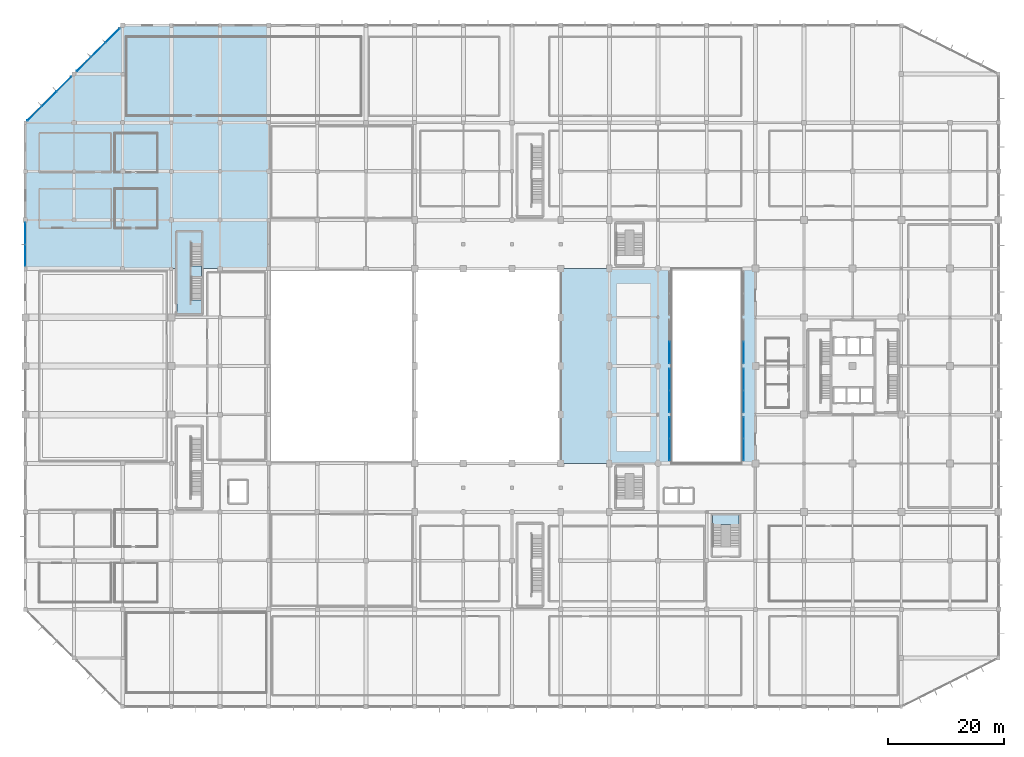
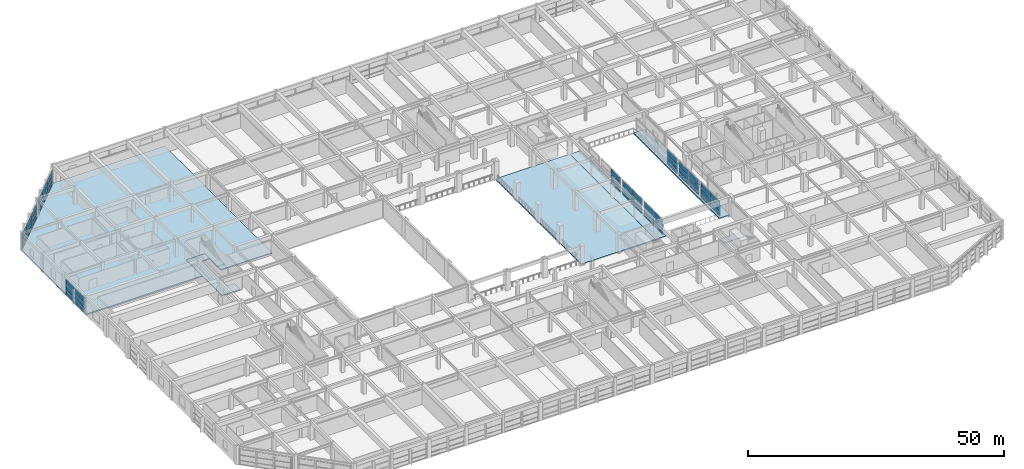
# One storey, part 45 of 65: 54 plates, 7 slabs, 11 elements without a shape of their own.
"""IFC4 building model written with IfcOpenShell, lengths in metres."""

import ifcopenshell
import ifcopenshell.guid

model = None  # the IFC model being written
_history = None  # IfcOwnerHistory: only IFC2X3 demands one
_inside = {}  # id of a spatial element -> (the spatial element, [elements in it])
_under = {}  # id of a project, library or spatial element -> (it, [spatial elements below it])
_declared = {}  # id of a project -> (the project, [libraries it declares])
_typed = {}  # id of a type object -> (the type object, [elements of that type])
_made_of = {}  # id of a material, layer set ... -> (it, [elements and type objects made of it])


def new_model(schema):
    """Start an empty IFC model of exactly this schema.

    Asked for "IFC4X3", IfcOpenShell would pick the latest addendum, in which some entities
    have other attributes; the version numbers below select the first issue.
    IFC2X3 requires an IfcOwnerHistory on every rooted entity: one is made here for all.
    """
    global model, _history
    if schema == "IFC4X3":
        model = ifcopenshell.file(schema_version=(4, 3, 0, 0))
    else:
        model = ifcopenshell.file(schema=schema)
    _inside.clear()
    _under.clear()
    _declared.clear()
    _typed.clear()
    _made_of.clear()
    _history = None
    if model.schema == "IFC2X3":
        org = make("IfcOrganization", Name="unknown")
        user = make(
            "IfcPersonAndOrganization",
            ThePerson=make("IfcPerson", FamilyName="unknown"),
            TheOrganization=org,
        )
        app = make(
            "IfcApplication",
            ApplicationDeveloper=org,
            Version="unknown",
            ApplicationFullName="unknown",
            ApplicationIdentifier="unknown",
        )
        _history = make(
            "IfcOwnerHistory",
            OwningUser=user,
            OwningApplication=app,
            ChangeAction="ADDED",
            CreationDate=0,
        )
    return model


def make(cls, **values):
    """One entity of the class cls with the attributes given. An attribute that is None is left unset."""
    return model.create_entity(
        cls, **{name: value for name, value in values.items() if value is not None}
    )


def rooted(cls, **values):
    """An entity with a GlobalId (a new one), such as an element, a storey or a relation."""
    return make(cls, GlobalId=ifcopenshell.guid.new(), OwnerHistory=_history, **values)


def si_unit(unit_type, name, prefix=None):
    """IfcSIUnit, for example si_unit("LENGTHUNIT", "METRE", prefix="MILLI")."""
    return make("IfcSIUnit", UnitType=unit_type, Prefix=prefix, Name=name)


def assignment(units):
    """IfcUnitAssignment: the units of a project."""
    return None if units is None else make("IfcUnitAssignment", Units=units)


def point(xyz):
    """IfcCartesianPoint."""
    return None if xyz is None else make("IfcCartesianPoint", Coordinates=xyz)


def direction(xyz):
    """IfcDirection."""
    return None if xyz is None else make("IfcDirection", DirectionRatios=xyz)


def frame(location, z_axis=None, x_axis=None):
    """IfcAxis2Placement3D, a coordinate frame: its origin and axes. An axis left out is left unset."""
    return make(
        "IfcAxis2Placement3D",
        Location=point(location),
        Axis=direction(z_axis),
        RefDirection=direction(x_axis),
    )


def frame_2d(location, x_axis=None):
    """IfcAxis2Placement2D, a coordinate frame in the plane: its origin and x axis."""
    return make(
        "IfcAxis2Placement2D", Location=point(location), RefDirection=direction(x_axis)
    )


def origin():
    """The frame at (0, 0, 0) with its axes left unset."""
    return frame((0.0, 0.0, 0.0))


def origin_2d():
    """The frame at (0, 0) in the plane with its x axis left unset."""
    return frame_2d((0.0, 0.0))


def place(relative_to, where):
    """IfcLocalPlacement: puts the frame where relative to a parent placement (None: the world)."""
    return make(
        "IfcLocalPlacement", PlacementRelTo=relative_to, RelativePlacement=where
    )


def context(
    kind, dimensions, precision=None, world=None, true_north=None, identifier=None
):
    """IfcGeometricRepresentationContext, for example the 3D "Model" context."""
    return make(
        "IfcGeometricRepresentationContext",
        ContextIdentifier=identifier,
        ContextType=kind,
        CoordinateSpaceDimension=dimensions,
        Precision=precision,
        WorldCoordinateSystem=world,
        TrueNorth=true_north,
    )


def subcontext(parent, identifier, kind, view, scale=None):
    """IfcGeometricRepresentationSubContext, for example "Body" below "Model"."""
    return make(
        "IfcGeometricRepresentationSubContext",
        ContextIdentifier=identifier,
        ContextType=kind,
        ParentContext=parent,
        TargetScale=scale,
        TargetView=view,
    )


def project(units=None, contexts=None):
    """IfcProject with its units and contexts."""
    return rooted(
        "IfcProject",
        Name="project",
        RepresentationContexts=contexts,
        UnitsInContext=assignment(units),
    )


def spatial(cls, under=None, at=None, **own):
    """A site, building, storey or space (cls), placed at a placement, below another one or the project."""
    s = rooted(cls, ObjectPlacement=at, **own)
    if under is not None:
        _under.setdefault(under.id(), (under, []))[1].append(s)
    return s


def polyline(points):
    """IfcPolyline through the points."""
    return make("IfcPolyline", Points=[point(p) for p in points])


def profile(cls, at=None, kind="AREA", **sizes):
    """A parametric profile (cls). Its sizes go by their IFC names, for example OverallWidth=200.0."""
    return make(cls, ProfileType=kind, Position=at, **sizes)


def rectangle(**sizes):
    """IfcRectangleProfileDef."""
    return profile("IfcRectangleProfileDef", **sizes)


def outline(outer, holes=None, kind="AREA"):
    """IfcArbitraryClosedProfileDef: a profile drawn as a closed curve; with holes, ...WithVoids."""
    if holes is None:
        return make("IfcArbitraryClosedProfileDef", ProfileType=kind, OuterCurve=outer)
    return make(
        "IfcArbitraryProfileDefWithVoids",
        ProfileType=kind,
        OuterCurve=outer,
        InnerCurves=holes,
    )


def extrude(swept, where, along, depth):
    """IfcExtrudedAreaSolid: the profile swept, set in the frame where, extruded along a direction by depth."""
    return make(
        "IfcExtrudedAreaSolid",
        SweptArea=swept,
        Position=where,
        ExtrudedDirection=direction(along),
        Depth=depth,
    )


def shape(context_of_items, identifier, shape_type, items):
    """IfcShapeRepresentation: the items that make up one representation, for example the "Body"."""
    return make(
        "IfcShapeRepresentation",
        ContextOfItems=context_of_items,
        RepresentationIdentifier=identifier,
        RepresentationType=shape_type,
        Items=items,
    )


def material(Name=None, Category=None):
    """IfcMaterial."""
    return make("IfcMaterial", Name=Name, Category=Category)


def layer(
    of_material, thickness, ventilated=None, Name=None, Category=None, Priority=None
):
    """IfcMaterialLayer: one layer of a wall or slab, of a material (None: an air gap)."""
    return make(
        "IfcMaterialLayer",
        Material=of_material,
        LayerThickness=thickness,
        IsVentilated=ventilated,
        Name=Name,
        Category=Category,
        Priority=Priority,
    )


def layer_set(layers, Name=None):
    """IfcMaterialLayerSet."""
    return make("IfcMaterialLayerSet", MaterialLayers=layers, LayerSetName=Name)


def made_of(thing, what):
    """Note that an element or type object is made of a material, layer set ...; save() writes the relation."""
    if what is not None:
        _made_of.setdefault(what.id(), (what, []))[1].append(thing)
    return thing


def type_object(cls, material=None, **own):
    """A type object (cls), such as IfcWallType, which elements share."""
    return made_of(rooted(cls, **own), material)


def element(
    cls,
    number,
    at=None,
    inside=None,
    cuts=None,
    type_object=None,
    material=None,
    context=None,
    identifier="Body",
    shape_type=None,
    held_by="IfcProductDefinitionShape",
    body=None,
    shapes=None,
    **own,
):
    """One element of the class cls, such as IfcWall. Its Tag is "e" and its number.

    at: its placement. inside: the storey or other place that contains it. cuts: it is an
    opening in that element (IfcRelVoidsElement). A single representation is given by context,
    identifier, shape_type and body (its items); several are given by shapes. held_by: the class
    of the entity that holds the representations. save() writes the other relations.
    """
    e = rooted(cls, Tag="e%d" % number, ObjectPlacement=at, **own)
    if body is not None:
        shapes = [shape(context, identifier, shape_type, body)]
    if shapes is not None:
        e.Representation = make(held_by, Representations=shapes)
    if inside is not None:
        _inside.setdefault(inside.id(), (inside, []))[1].append(e)
    if cuts is not None:
        rooted(
            "IfcRelVoidsElement", RelatingBuildingElement=cuts, RelatedOpeningElement=e
        )
    if type_object is not None:
        _typed.setdefault(type_object.id(), (type_object, []))[1].append(e)
    return made_of(e, material)


def aggregate(whole, parts):
    """IfcRelAggregates: a whole, such as a stair, and the parts it consists of."""
    return rooted("IfcRelAggregates", RelatingObject=whole, RelatedObjects=parts)


def save(model, path):
    """Write the relations noted so far, then the file.

    IfcRelAggregates (storeys below a building ...), IfcRelContainedInSpatialStructure (elements
    in a storey), IfcRelDefinesByType, IfcRelAssociatesMaterial and IfcRelDeclares: one each for
    every whole, place, type object, material and project.
    """
    for whole, parts in _under.values():
        aggregate(whole, parts)
    for where, things in _inside.values():
        rooted(
            "IfcRelContainedInSpatialStructure",
            RelatedElements=things,
            RelatingStructure=where,
        )
    for kind, things in _typed.values():
        rooted("IfcRelDefinesByType", RelatedObjects=things, RelatingType=kind)
    for what, things in _made_of.values():
        rooted("IfcRelAssociatesMaterial", RelatedObjects=things, RelatingMaterial=what)
    for by, libraries in _declared.values():
        rooted("IfcRelDeclares", RelatingContext=by, RelatedDefinitions=libraries)
    model.write(path)


model = new_model("IFC4")

# Units and contexts
model_context = context("Model", 3, precision=1e-05, world=origin(), true_north=direction((0.0, 1.0)))
body_context = subcontext(model_context, "Body", "Model", "MODEL_VIEW")
ifc_project = project(units=[si_unit("LENGTHUNIT", "METRE"), si_unit("AREAUNIT", "SQUARE_METRE"), si_unit("VOLUMEUNIT", "CUBIC_METRE"), si_unit("PLANEANGLEUNIT", "RADIAN"), si_unit("MASSUNIT", "GRAM", prefix="KILO")], contexts=[model_context])

# Site, building, storey
site_placement = place(None, origin())
site = spatial("IfcSite", under=ifc_project, at=site_placement, CompositionType="ELEMENT")
building_placement = place(site_placement, origin())
building = spatial("IfcBuilding", under=site, at=building_placement, Name="Xuanlan Plaza Opera House", CompositionType="ELEMENT")
storey_placement = place(building_placement, frame((0.0, 0.0, 5.39990234375)))
storey = spatial("IfcBuildingStorey", under=building, at=storey_placement, Name="L01", CompositionType="ELEMENT", Elevation=5.39990234375)

# Curtain wall, plates
ifc_material_1 = material(Name="Anodised Aluminium 6063-T6 and Low-E Glass", Category="aluminium")
curtain_wall_type_1 = type_object("IfcCurtainWallType", Name="ENV-CW-CW-02", PredefinedType="USERDEFINED", material=ifc_material_1)
curtain_wall_1_placement = place(storey_placement, origin())
curtain_wall_1 = element("IfcCurtainWall", 1, at=curtain_wall_1_placement, inside=storey, type_object=curtain_wall_type_1, Name="Unitised Curtain Wall L01-051", ObjectType="UNITISED CURTAIN WALL", PredefinedType="USERDEFINED")
ifc_material_2 = material(Name="Laminated Acoustic Double Glazing", Category="glass")
ifc_layer_1 = layer(ifc_material_2, 0.028076171875)
ifc_layer_set_1 = layer_set([ifc_layer_1], Name="Laminated Acoustic Double Glazing")
plate_type_1 = type_object("IfcPlateType", Name="ENV-CWP-01", PredefinedType="CURTAIN_PANEL", material=ifc_layer_set_1)
plate_1_placement = place(storey_placement, frame((0.0, 81.663818359375, 0.090087890625), z_axis=(0.0, 0.0, 1.0), x_axis=(0.0, -1.0, 0.0)))
plate_1 = element("IfcPlate", 2, at=plate_1_placement, type_object=plate_type_1, Name="CW-02 panel 1.1", PredefinedType="CURTAIN_PANEL", context=body_context, shape_type="SweptSolid", body=[
    extrude(rectangle(XDim=3.672607421875, YDim=0.028076171875, at=origin_2d()), origin(), (0.0, 0.0, 1.0), 0.81494140625),
])
plate_2_placement = place(storey_placement, frame((0.0, 81.663818359375, 0.9951171875), z_axis=(0.0, 0.0, 1.0), x_axis=(0.0, -1.0, 0.0)))
plate_2 = element("IfcPlate", 3, at=plate_2_placement, type_object=plate_type_1, Name="CW-02 panel 1.2", PredefinedType="CURTAIN_PANEL", context=body_context, shape_type="SweptSolid", body=[
    extrude(rectangle(XDim=3.672607421875, YDim=0.028076171875, at=origin_2d()), origin(), (0.0, 0.0, 1.0), 1.2099609375),
])
plate_3_placement = place(storey_placement, frame((0.0, 81.663818359375, 2.295166015625), z_axis=(0.0, 0.0, 1.0), x_axis=(0.0, -1.0, 0.0)))
plate_3 = element("IfcPlate", 4, at=plate_3_placement, type_object=plate_type_1, Name="CW-02 panel 1.3", PredefinedType="CURTAIN_PANEL", context=body_context, shape_type="SweptSolid", body=[
    extrude(rectangle(XDim=3.672607421875, YDim=0.028076171875, at=origin_2d()), origin(), (0.0, 0.0, 1.0), 1.294921875),
])
plate_4_placement = place(storey_placement, frame((0.0, 77.9111328125, 0.090087890625), z_axis=(0.0, 0.0, 1.0), x_axis=(0.0, -1.0, 0.0)))
plate_4 = element("IfcPlate", 5, at=plate_4_placement, type_object=plate_type_1, Name="CW-02 panel 2.1", PredefinedType="CURTAIN_PANEL", context=body_context, shape_type="SweptSolid", body=[
    extrude(rectangle(XDim=3.672607421875, YDim=0.028076171875, at=origin_2d()), origin(), (0.0, 0.0, 1.0), 0.81494140625),
])
plate_5_placement = place(storey_placement, frame((0.0, 77.9111328125, 0.9951171875), z_axis=(0.0, 0.0, 1.0), x_axis=(0.0, -1.0, 0.0)))
plate_5 = element("IfcPlate", 6, at=plate_5_placement, type_object=plate_type_1, Name="CW-02 panel 2.2", PredefinedType="CURTAIN_PANEL", context=body_context, shape_type="SweptSolid", body=[
    extrude(rectangle(XDim=3.672607421875, YDim=0.028076171875, at=origin_2d()), origin(), (0.0, 0.0, 1.0), 1.2099609375),
])
plate_6_placement = place(storey_placement, frame((0.0, 77.9111328125, 2.295166015625), z_axis=(0.0, 0.0, 1.0), x_axis=(0.0, -1.0, 0.0)))
plate_6 = element("IfcPlate", 7, at=plate_6_placement, type_object=plate_type_1, Name="CW-02 panel 2.3", PredefinedType="CURTAIN_PANEL", context=body_context, shape_type="SweptSolid", body=[
    extrude(rectangle(XDim=3.672607421875, YDim=0.028076171875, at=origin_2d()), origin(), (0.0, 0.0, 1.0), 1.294921875),
])
aggregate(curtain_wall_1, [plate_1, plate_2, plate_3, plate_4, plate_5, plate_6])

curtain_wall_type_2 = type_object("IfcCurtainWallType", Name="ENV-CW-CW-03", PredefinedType="USERDEFINED", material=ifc_material_1)
curtain_wall_2_placement = place(storey_placement, origin())
curtain_wall_2 = element("IfcCurtainWall", 8, at=curtain_wall_2_placement, inside=storey, type_object=curtain_wall_type_2, Name="Unitised Curtain Wall L01-048", ObjectType="UNITISED CURTAIN WALL", PredefinedType="USERDEFINED")
ifc_layer_2 = layer(ifc_material_2, 0.031982421875)
ifc_layer_set_2 = layer_set([ifc_layer_2], Name="Laminated Acoustic Double Glazing")
plate_type_2 = type_object("IfcPlateType", Name="ENV-CWP-02", PredefinedType="CURTAIN_PANEL", material=ifc_layer_set_2)
plate_7_placement = place(storey_placement, frame((6.66845703125, 107.46826171875, 0.080078125), z_axis=(0.0, 0.0, 1.0), x_axis=(-0.707106781187, -0.707106781187, 0.0)))
plate_7 = element("IfcPlate", 9, at=plate_7_placement, type_object=plate_type_2, Name="CW-03 panel 1.1", PredefinedType="CURTAIN_PANEL", context=body_context, shape_type="SweptSolid", body=[
    extrude(rectangle(XDim=3.497802734375, YDim=0.031982421875, at=origin_2d()), origin(), (0.0, 0.0, 1.0), 0.830078125),
])
plate_8_placement = place(storey_placement, frame((6.66845703125, 107.46826171875, 0.990234375), z_axis=(0.0, 0.0, 1.0), x_axis=(-0.707106781187, -0.707106781187, 0.0)))
plate_8 = element("IfcPlate", 10, at=plate_8_placement, type_object=plate_type_2, Name="CW-03 panel 1.2", PredefinedType="CURTAIN_PANEL", context=body_context, shape_type="SweptSolid", body=[
    extrude(rectangle(XDim=3.497802734375, YDim=0.031982421875, at=origin_2d()), origin(), (0.0, 0.0, 1.0), 1.219970703125),
])
plate_9_placement = place(storey_placement, frame((6.66845703125, 107.46826171875, 2.2900390625), z_axis=(0.0, 0.0, 1.0), x_axis=(-0.707106781187, -0.707106781187, 0.0)))
plate_9 = element("IfcPlate", 11, at=plate_9_placement, type_object=plate_type_2, Name="CW-03 panel 1.3", PredefinedType="CURTAIN_PANEL", context=body_context, shape_type="SweptSolid", body=[
    extrude(rectangle(XDim=3.497802734375, YDim=0.031982421875, at=origin_2d()), origin(), (0.0, 0.0, 1.0), 1.31005859375),
])
plate_10_placement = place(storey_placement, frame((4.137451171875, 104.9375, 0.080078125), z_axis=(0.0, 0.0, 1.0), x_axis=(-0.707106781187, -0.707106781187, 0.0)))
plate_10 = element("IfcPlate", 12, at=plate_10_placement, type_object=plate_type_2, Name="CW-03 panel 2.1", PredefinedType="CURTAIN_PANEL", context=body_context, shape_type="SweptSolid", body=[
    extrude(rectangle(XDim=3.530517578125, YDim=0.031982421875, at=origin_2d()), origin(), (0.0, 0.0, 1.0), 0.830078125),
])
plate_11_placement = place(storey_placement, frame((4.137451171875, 104.9375, 0.990234375), z_axis=(0.0, 0.0, 1.0), x_axis=(-0.707106781187, -0.707106781187, 0.0)))
plate_11 = element("IfcPlate", 13, at=plate_11_placement, type_object=plate_type_2, Name="CW-03 panel 2.2", PredefinedType="CURTAIN_PANEL", context=body_context, shape_type="SweptSolid", body=[
    extrude(rectangle(XDim=3.530517578125, YDim=0.031982421875, at=origin_2d()), origin(), (0.0, 0.0, 1.0), 1.219970703125),
])
plate_12_placement = place(storey_placement, frame((4.137451171875, 104.9375, 2.2900390625), z_axis=(0.0, 0.0, 1.0), x_axis=(-0.707106781187, -0.707106781187, 0.0)))
plate_12 = element("IfcPlate", 14, at=plate_12_placement, type_object=plate_type_2, Name="CW-03 panel 2.3", PredefinedType="CURTAIN_PANEL", context=body_context, shape_type="SweptSolid", body=[
    extrude(rectangle(XDim=3.530517578125, YDim=0.031982421875, at=origin_2d()), origin(), (0.0, 0.0, 1.0), 1.31005859375),
])
plate_13_placement = place(storey_placement, frame((1.606689453125, 102.40673828125, 0.080078125), z_axis=(0.0, 0.0, 1.0), x_axis=(-0.707106781187, -0.707106781187, 0.0)))
plate_13 = element("IfcPlate", 15, at=plate_13_placement, type_object=plate_type_2, Name="CW-03 panel 3.1", PredefinedType="CURTAIN_PANEL", context=body_context, shape_type="SweptSolid", body=[
    extrude(rectangle(XDim=3.497802734375, YDim=0.031982421875, at=origin_2d()), origin(), (0.0, 0.0, 1.0), 0.830078125),
])
plate_14_placement = place(storey_placement, frame((1.606689453125, 102.40673828125, 0.990234375), z_axis=(0.0, 0.0, 1.0), x_axis=(-0.707106781187, -0.707106781187, 0.0)))
plate_14 = element("IfcPlate", 16, at=plate_14_placement, type_object=plate_type_2, Name="CW-03 panel 3.2", PredefinedType="CURTAIN_PANEL", context=body_context, shape_type="SweptSolid", body=[
    extrude(rectangle(XDim=3.497802734375, YDim=0.031982421875, at=origin_2d()), origin(), (0.0, 0.0, 1.0), 1.219970703125),
])
plate_15_placement = place(storey_placement, frame((1.606689453125, 102.40673828125, 2.2900390625), z_axis=(0.0, 0.0, 1.0), x_axis=(-0.707106781187, -0.707106781187, 0.0)))
plate_15 = element("IfcPlate", 17, at=plate_15_placement, type_object=plate_type_2, Name="CW-03 panel 3.3", PredefinedType="CURTAIN_PANEL", context=body_context, shape_type="SweptSolid", body=[
    extrude(rectangle(XDim=3.497802734375, YDim=0.031982421875, at=origin_2d()), origin(), (0.0, 0.0, 1.0), 1.31005859375),
])
aggregate(curtain_wall_2, [plate_7, plate_8, plate_9, plate_10, plate_11, plate_12, plate_13, plate_14, plate_15])

curtain_wall_3_placement = place(storey_placement, origin())
curtain_wall_3 = element("IfcCurtainWall", 18, at=curtain_wall_3_placement, inside=storey, type_object=curtain_wall_type_1, Name="Unitised Curtain Wall L01-047", ObjectType="UNITISED CURTAIN WALL", PredefinedType="USERDEFINED")
ifc_layer_3 = layer(ifc_material_2, 0.0400390625)
ifc_layer_set_3 = layer_set([ifc_layer_3], Name="Laminated Acoustic Double Glazing")
plate_type_3 = type_object("IfcPlateType", Name="ENV-CWP-04", PredefinedType="CURTAIN_PANEL", material=ifc_layer_set_3)
plate_16_placement = place(storey_placement, frame((15.04296875, 115.843017578125, 0.0703125), z_axis=(0.0, 0.0, 1.0), x_axis=(-0.707106781187, -0.707106781187, 0.0)))
plate_16 = element("IfcPlate", 19, at=plate_16_placement, type_object=plate_type_3, Name="CW-02 panel 1.1", PredefinedType="CURTAIN_PANEL", context=body_context, shape_type="SweptSolid", body=[
    extrude(rectangle(XDim=3.3779296875, YDim=0.0400390625, at=origin_2d()), origin(), (0.0, 0.0, 1.0), 0.844970703125),
])
plate_17_placement = place(storey_placement, frame((15.04296875, 115.843017578125, 0.985107421875), z_axis=(0.0, 0.0, 1.0), x_axis=(-0.707106781187, -0.707106781187, 0.0)))
plate_17 = element("IfcPlate", 20, at=plate_17_placement, type_object=plate_type_3, Name="CW-02 panel 1.2", PredefinedType="CURTAIN_PANEL", context=body_context, shape_type="SweptSolid", body=[
    extrude(rectangle(XDim=3.3779296875, YDim=0.0400390625, at=origin_2d()), origin(), (0.0, 0.0, 1.0), 1.22998046875),
])
plate_18_placement = place(storey_placement, frame((15.04296875, 115.843017578125, 2.28515625), z_axis=(0.0, 0.0, 1.0), x_axis=(-0.707106781187, -0.707106781187, 0.0)))
plate_18 = element("IfcPlate", 21, at=plate_18_placement, type_object=plate_type_3, Name="CW-02 panel 1.3", PredefinedType="CURTAIN_PANEL", context=body_context, shape_type="SweptSolid", body=[
    extrude(rectangle(XDim=3.3779296875, YDim=0.0400390625, at=origin_2d()), origin(), (0.0, 0.0, 1.0), 1.324951171875),
])
plate_19_placement = place(storey_placement, frame((12.574951171875, 113.375, 0.0703125), z_axis=(0.0, 0.0, 1.0), x_axis=(-0.707106781187, -0.707106781187, 0.0)))
plate_19 = element("IfcPlate", 22, at=plate_19_placement, type_object=plate_type_3, Name="CW-02 panel 2.1", PredefinedType="CURTAIN_PANEL", context=body_context, shape_type="SweptSolid", body=[
    extrude(rectangle(XDim=3.4228515625, YDim=0.0400390625, at=origin_2d()), origin(), (0.0, 0.0, 1.0), 0.844970703125),
])
plate_20_placement = place(storey_placement, frame((12.574951171875, 113.375, 0.985107421875), z_axis=(0.0, 0.0, 1.0), x_axis=(-0.707106781187, -0.707106781187, 0.0)))
plate_20 = element("IfcPlate", 23, at=plate_20_placement, type_object=plate_type_3, Name="CW-02 panel 2.2", PredefinedType="CURTAIN_PANEL", context=body_context, shape_type="SweptSolid", body=[
    extrude(rectangle(XDim=3.4228515625, YDim=0.0400390625, at=origin_2d()), origin(), (0.0, 0.0, 1.0), 1.22998046875),
])
plate_21_placement = place(storey_placement, frame((12.574951171875, 113.375, 2.28515625), z_axis=(0.0, 0.0, 1.0), x_axis=(-0.707106781187, -0.707106781187, 0.0)))
plate_21 = element("IfcPlate", 24, at=plate_21_placement, type_object=plate_type_3, Name="CW-02 panel 2.3", PredefinedType="CURTAIN_PANEL", context=body_context, shape_type="SweptSolid", body=[
    extrude(rectangle(XDim=3.4228515625, YDim=0.0400390625, at=origin_2d()), origin(), (0.0, 0.0, 1.0), 1.324951171875),
])
plate_22_placement = place(storey_placement, frame((10.10693359375, 110.906982421875, 0.0703125), z_axis=(0.0, 0.0, 1.0), x_axis=(-0.707106781187, -0.707106781187, 0.0)))
plate_22 = element("IfcPlate", 25, at=plate_22_placement, type_object=plate_type_3, Name="CW-02 panel 3.1", PredefinedType="CURTAIN_PANEL", context=body_context, shape_type="SweptSolid", body=[
    extrude(rectangle(XDim=3.3779296875, YDim=0.0400390625, at=origin_2d()), origin(), (0.0, 0.0, 1.0), 0.844970703125),
])
plate_23_placement = place(storey_placement, frame((10.10693359375, 110.906982421875, 0.985107421875), z_axis=(0.0, 0.0, 1.0), x_axis=(-0.707106781187, -0.707106781187, 0.0)))
plate_23 = element("IfcPlate", 26, at=plate_23_placement, type_object=plate_type_3, Name="CW-02 panel 3.2", PredefinedType="CURTAIN_PANEL", context=body_context, shape_type="SweptSolid", body=[
    extrude(rectangle(XDim=3.3779296875, YDim=0.0400390625, at=origin_2d()), origin(), (0.0, 0.0, 1.0), 1.22998046875),
])
plate_24_placement = place(storey_placement, frame((10.10693359375, 110.906982421875, 2.28515625), z_axis=(0.0, 0.0, 1.0), x_axis=(-0.707106781187, -0.707106781187, 0.0)))
plate_24 = element("IfcPlate", 27, at=plate_24_placement, type_object=plate_type_3, Name="CW-02 panel 3.3", PredefinedType="CURTAIN_PANEL", context=body_context, shape_type="SweptSolid", body=[
    extrude(rectangle(XDim=3.3779296875, YDim=0.0400390625, at=origin_2d()), origin(), (0.0, 0.0, 1.0), 1.324951171875),
])
aggregate(curtain_wall_3, [plate_16, plate_17, plate_18, plate_19, plate_20, plate_21, plate_22, plate_23, plate_24])

curtain_wall_type_3 = type_object("IfcCurtainWallType", Name="ENV-CW-CW-06", PredefinedType="USERDEFINED", material=ifc_material_1)
curtain_wall_4_placement = place(storey_placement, origin())
curtain_wall_4 = element("IfcCurtainWall", 28, at=curtain_wall_4_placement, inside=storey, type_object=curtain_wall_type_3, Name="Acoustic Glazed Wall ATR-L01-11", ObjectType="ACOUSTIC GLAZED WALL", PredefinedType="USERDEFINED")
ifc_layer_4 = layer(ifc_material_2, 0.0439453125)
ifc_layer_set_4 = layer_set([ifc_layer_4], Name="Laminated Acoustic Double Glazing")
plate_type_4 = type_object("IfcPlateType", Name="ENV-CWP-05", PredefinedType="CURTAIN_PANEL", material=ifc_layer_set_4)
plate_25_placement = place(storey_placement, frame((111.199951171875, 44.37255859375, 0.090087890625), z_axis=(0.0, 0.0, 1.0), x_axis=(0.0, 1.0, 0.0)))
plate_25 = element("IfcPlate", 29, at=plate_25_placement, type_object=plate_type_4, Name="CW-06 panel 1.1", PredefinedType="CURTAIN_PANEL", context=body_context, shape_type="SweptSolid", body=[
    extrude(rectangle(XDim=3.6650390625, YDim=0.0439453125, at=origin_2d()), origin(), (0.0, 0.0, 1.0), 0.81494140625),
])
plate_26_placement = place(storey_placement, frame((111.199951171875, 44.37255859375, 0.9951171875), z_axis=(0.0, 0.0, 1.0), x_axis=(0.0, 1.0, 0.0)))
plate_26 = element("IfcPlate", 30, at=plate_26_placement, type_object=plate_type_4, Name="CW-06 panel 1.2", PredefinedType="CURTAIN_PANEL", context=body_context, shape_type="SweptSolid", body=[
    extrude(rectangle(XDim=3.6650390625, YDim=0.0439453125, at=origin_2d()), origin(), (0.0, 0.0, 1.0), 1.2099609375),
])
plate_27_placement = place(storey_placement, frame((111.199951171875, 44.37255859375, 2.295166015625), z_axis=(0.0, 0.0, 1.0), x_axis=(0.0, 1.0, 0.0)))
plate_27 = element("IfcPlate", 31, at=plate_27_placement, type_object=plate_type_4, Name="CW-06 panel 1.3", PredefinedType="CURTAIN_PANEL", context=body_context, shape_type="SweptSolid", body=[
    extrude(rectangle(XDim=3.6650390625, YDim=0.0439453125, at=origin_2d()), origin(), (0.0, 0.0, 1.0), 1.294921875),
])
plate_28_placement = place(storey_placement, frame((111.199951171875, 48.12744140625, 0.090087890625), z_axis=(0.0, 0.0, 1.0), x_axis=(0.0, 1.0, 0.0)))
plate_28 = element("IfcPlate", 32, at=plate_28_placement, type_object=plate_type_4, Name="CW-06 panel 2.1", PredefinedType="CURTAIN_PANEL", context=body_context, shape_type="SweptSolid", body=[
    extrude(rectangle(XDim=3.6650390625, YDim=0.0439453125, at=origin_2d()), origin(), (0.0, 0.0, 1.0), 0.81494140625),
])
plate_29_placement = place(storey_placement, frame((111.199951171875, 48.12744140625, 0.9951171875), z_axis=(0.0, 0.0, 1.0), x_axis=(0.0, 1.0, 0.0)))
plate_29 = element("IfcPlate", 33, at=plate_29_placement, type_object=plate_type_4, Name="CW-06 panel 2.2", PredefinedType="CURTAIN_PANEL", context=body_context, shape_type="SweptSolid", body=[
    extrude(rectangle(XDim=3.6650390625, YDim=0.0439453125, at=origin_2d()), origin(), (0.0, 0.0, 1.0), 1.2099609375),
])
plate_30_placement = place(storey_placement, frame((111.199951171875, 48.12744140625, 2.295166015625), z_axis=(0.0, 0.0, 1.0), x_axis=(0.0, 1.0, 0.0)))
plate_30 = element("IfcPlate", 34, at=plate_30_placement, type_object=plate_type_4, Name="CW-06 panel 2.3", PredefinedType="CURTAIN_PANEL", context=body_context, shape_type="SweptSolid", body=[
    extrude(rectangle(XDim=3.6650390625, YDim=0.0439453125, at=origin_2d()), origin(), (0.0, 0.0, 1.0), 1.294921875),
])
aggregate(curtain_wall_4, [plate_25, plate_26, plate_27, plate_28, plate_29, plate_30])

curtain_wall_5_placement = place(storey_placement, origin())
curtain_wall_5 = element("IfcCurtainWall", 35, at=curtain_wall_5_placement, inside=storey, type_object=curtain_wall_type_3, Name="Acoustic Glazed Wall ATR-L01-12", ObjectType="ACOUSTIC GLAZED WALL", PredefinedType="USERDEFINED")
plate_31_placement = place(storey_placement, frame((111.199951171875, 52.697509765625, 0.090087890625), z_axis=(0.0, 0.0, 1.0), x_axis=(0.0, 1.0, 0.0)))
plate_31 = element("IfcPlate", 36, at=plate_31_placement, type_object=plate_type_4, Name="CW-06 panel 1.1", PredefinedType="CURTAIN_PANEL", context=body_context, shape_type="SweptSolid", body=[
    extrude(rectangle(XDim=3.715087890625, YDim=0.0439453125, at=origin_2d()), origin(), (0.0, 0.0, 1.0), 0.81494140625),
])
plate_32_placement = place(storey_placement, frame((111.199951171875, 52.697509765625, 0.9951171875), z_axis=(0.0, 0.0, 1.0), x_axis=(0.0, 1.0, 0.0)))
plate_32 = element("IfcPlate", 37, at=plate_32_placement, type_object=plate_type_4, Name="CW-06 panel 1.2", PredefinedType="CURTAIN_PANEL", context=body_context, shape_type="SweptSolid", body=[
    extrude(rectangle(XDim=3.715087890625, YDim=0.0439453125, at=origin_2d()), origin(), (0.0, 0.0, 1.0), 1.2099609375),
])
plate_33_placement = place(storey_placement, frame((111.199951171875, 52.697509765625, 2.295166015625), z_axis=(0.0, 0.0, 1.0), x_axis=(0.0, 1.0, 0.0)))
plate_33 = element("IfcPlate", 38, at=plate_33_placement, type_object=plate_type_4, Name="CW-06 panel 1.3", PredefinedType="CURTAIN_PANEL", context=body_context, shape_type="SweptSolid", body=[
    extrude(rectangle(XDim=3.715087890625, YDim=0.0439453125, at=origin_2d()), origin(), (0.0, 0.0, 1.0), 1.294921875),
])
plate_34_placement = place(storey_placement, frame((111.199951171875, 56.50244140625, 0.090087890625), z_axis=(0.0, 0.0, 1.0), x_axis=(0.0, 1.0, 0.0)))
plate_34 = element("IfcPlate", 39, at=plate_34_placement, type_object=plate_type_4, Name="CW-06 panel 2.1", PredefinedType="CURTAIN_PANEL", context=body_context, shape_type="SweptSolid", body=[
    extrude(rectangle(XDim=3.715087890625, YDim=0.0439453125, at=origin_2d()), origin(), (0.0, 0.0, 1.0), 0.81494140625),
])
plate_35_placement = place(storey_placement, frame((111.199951171875, 56.50244140625, 0.9951171875), z_axis=(0.0, 0.0, 1.0), x_axis=(0.0, 1.0, 0.0)))
plate_35 = element("IfcPlate", 40, at=plate_35_placement, type_object=plate_type_4, Name="CW-06 panel 2.2", PredefinedType="CURTAIN_PANEL", context=body_context, shape_type="SweptSolid", body=[
    extrude(rectangle(XDim=3.715087890625, YDim=0.0439453125, at=origin_2d()), origin(), (0.0, 0.0, 1.0), 1.2099609375),
])
plate_36_placement = place(storey_placement, frame((111.199951171875, 56.50244140625, 2.295166015625), z_axis=(0.0, 0.0, 1.0), x_axis=(0.0, 1.0, 0.0)))
plate_36 = element("IfcPlate", 41, at=plate_36_placement, type_object=plate_type_4, Name="CW-06 panel 2.3", PredefinedType="CURTAIN_PANEL", context=body_context, shape_type="SweptSolid", body=[
    extrude(rectangle(XDim=3.715087890625, YDim=0.0439453125, at=origin_2d()), origin(), (0.0, 0.0, 1.0), 1.294921875),
])
aggregate(curtain_wall_5, [plate_31, plate_32, plate_33, plate_34, plate_35, plate_36])

curtain_wall_6_placement = place(storey_placement, origin())
curtain_wall_6 = element("IfcCurtainWall", 42, at=curtain_wall_6_placement, inside=storey, type_object=curtain_wall_type_3, Name="Acoustic Glazed Wall ATR-L01-13", ObjectType="ACOUSTIC GLAZED WALL", PredefinedType="USERDEFINED")
plate_37_placement = place(storey_placement, frame((111.199951171875, 61.097412109375, 0.090087890625), z_axis=(0.0, 0.0, 1.0), x_axis=(0.0, 1.0, 0.0)))
plate_37 = element("IfcPlate", 43, at=plate_37_placement, type_object=plate_type_4, Name="CW-06 panel 1.1", PredefinedType="CURTAIN_PANEL", context=body_context, shape_type="SweptSolid", body=[
    extrude(rectangle(XDim=3.715087890625, YDim=0.0439453125, at=origin_2d()), origin(), (0.0, 0.0, 1.0), 0.81494140625),
])
plate_38_placement = place(storey_placement, frame((111.199951171875, 61.097412109375, 0.9951171875), z_axis=(0.0, 0.0, 1.0), x_axis=(0.0, 1.0, 0.0)))
plate_38 = element("IfcPlate", 44, at=plate_38_placement, type_object=plate_type_4, Name="CW-06 panel 1.2", PredefinedType="CURTAIN_PANEL", context=body_context, shape_type="SweptSolid", body=[
    extrude(rectangle(XDim=3.715087890625, YDim=0.0439453125, at=origin_2d()), origin(), (0.0, 0.0, 1.0), 1.2099609375),
])
plate_39_placement = place(storey_placement, frame((111.199951171875, 61.097412109375, 2.295166015625), z_axis=(0.0, 0.0, 1.0), x_axis=(0.0, 1.0, 0.0)))
plate_39 = element("IfcPlate", 45, at=plate_39_placement, type_object=plate_type_4, Name="CW-06 panel 1.3", PredefinedType="CURTAIN_PANEL", context=body_context, shape_type="SweptSolid", body=[
    extrude(rectangle(XDim=3.715087890625, YDim=0.0439453125, at=origin_2d()), origin(), (0.0, 0.0, 1.0), 1.294921875),
])
aggregate(curtain_wall_6, [plate_37, plate_38, plate_39])

curtain_wall_7_placement = place(storey_placement, origin())
curtain_wall_7 = element("IfcCurtainWall", 46, at=curtain_wall_7_placement, inside=storey, type_object=curtain_wall_type_3, Name="Acoustic Glazed Wall ATR-L01-21", ObjectType="ACOUSTIC GLAZED WALL", PredefinedType="USERDEFINED")
plate_40_placement = place(storey_placement, frame((124.0, 44.37255859375, 0.090087890625), z_axis=(0.0, 0.0, 1.0), x_axis=(0.0, 1.0, 0.0)))
plate_40 = element("IfcPlate", 47, at=plate_40_placement, type_object=plate_type_4, Name="CW-06 panel 1.1", PredefinedType="CURTAIN_PANEL", context=body_context, shape_type="SweptSolid", body=[
    extrude(rectangle(XDim=3.6650390625, YDim=0.0439453125, at=origin_2d()), origin(), (0.0, 0.0, 1.0), 0.81494140625),
])
plate_41_placement = place(storey_placement, frame((124.0, 44.37255859375, 0.9951171875), z_axis=(0.0, 0.0, 1.0), x_axis=(0.0, 1.0, 0.0)))
plate_41 = element("IfcPlate", 48, at=plate_41_placement, type_object=plate_type_4, Name="CW-06 panel 1.2", PredefinedType="CURTAIN_PANEL", context=body_context, shape_type="SweptSolid", body=[
    extrude(rectangle(XDim=3.6650390625, YDim=0.0439453125, at=origin_2d()), origin(), (0.0, 0.0, 1.0), 1.2099609375),
])
plate_42_placement = place(storey_placement, frame((124.0, 44.37255859375, 2.295166015625), z_axis=(0.0, 0.0, 1.0), x_axis=(0.0, 1.0, 0.0)))
plate_42 = element("IfcPlate", 49, at=plate_42_placement, type_object=plate_type_4, Name="CW-06 panel 1.3", PredefinedType="CURTAIN_PANEL", context=body_context, shape_type="SweptSolid", body=[
    extrude(rectangle(XDim=3.6650390625, YDim=0.0439453125, at=origin_2d()), origin(), (0.0, 0.0, 1.0), 1.294921875),
])
plate_43_placement = place(storey_placement, frame((124.0, 48.12744140625, 0.090087890625), z_axis=(0.0, 0.0, 1.0), x_axis=(0.0, 1.0, 0.0)))
plate_43 = element("IfcPlate", 50, at=plate_43_placement, type_object=plate_type_4, Name="CW-06 panel 2.1", PredefinedType="CURTAIN_PANEL", context=body_context, shape_type="SweptSolid", body=[
    extrude(rectangle(XDim=3.6650390625, YDim=0.0439453125, at=origin_2d()), origin(), (0.0, 0.0, 1.0), 0.81494140625),
])
plate_44_placement = place(storey_placement, frame((124.0, 48.12744140625, 0.9951171875), z_axis=(0.0, 0.0, 1.0), x_axis=(0.0, 1.0, 0.0)))
plate_44 = element("IfcPlate", 51, at=plate_44_placement, type_object=plate_type_4, Name="CW-06 panel 2.2", PredefinedType="CURTAIN_PANEL", context=body_context, shape_type="SweptSolid", body=[
    extrude(rectangle(XDim=3.6650390625, YDim=0.0439453125, at=origin_2d()), origin(), (0.0, 0.0, 1.0), 1.2099609375),
])
plate_45_placement = place(storey_placement, frame((124.0, 48.12744140625, 2.295166015625), z_axis=(0.0, 0.0, 1.0), x_axis=(0.0, 1.0, 0.0)))
plate_45 = element("IfcPlate", 52, at=plate_45_placement, type_object=plate_type_4, Name="CW-06 panel 2.3", PredefinedType="CURTAIN_PANEL", context=body_context, shape_type="SweptSolid", body=[
    extrude(rectangle(XDim=3.6650390625, YDim=0.0439453125, at=origin_2d()), origin(), (0.0, 0.0, 1.0), 1.294921875),
])
aggregate(curtain_wall_7, [plate_40, plate_41, plate_42, plate_43, plate_44, plate_45])

curtain_wall_8_placement = place(storey_placement, origin())
curtain_wall_8 = element("IfcCurtainWall", 53, at=curtain_wall_8_placement, inside=storey, type_object=curtain_wall_type_3, Name="Acoustic Glazed Wall ATR-L01-22", ObjectType="ACOUSTIC GLAZED WALL", PredefinedType="USERDEFINED")
plate_46_placement = place(storey_placement, frame((124.0, 52.697509765625, 0.090087890625), z_axis=(0.0, 0.0, 1.0), x_axis=(0.0, 1.0, 0.0)))
plate_46 = element("IfcPlate", 54, at=plate_46_placement, type_object=plate_type_4, Name="CW-06 panel 1.1", PredefinedType="CURTAIN_PANEL", context=body_context, shape_type="SweptSolid", body=[
    extrude(rectangle(XDim=3.715087890625, YDim=0.0439453125, at=origin_2d()), origin(), (0.0, 0.0, 1.0), 0.81494140625),
])
plate_47_placement = place(storey_placement, frame((124.0, 52.697509765625, 0.9951171875), z_axis=(0.0, 0.0, 1.0), x_axis=(0.0, 1.0, 0.0)))
plate_47 = element("IfcPlate", 55, at=plate_47_placement, type_object=plate_type_4, Name="CW-06 panel 1.2", PredefinedType="CURTAIN_PANEL", context=body_context, shape_type="SweptSolid", body=[
    extrude(rectangle(XDim=3.715087890625, YDim=0.0439453125, at=origin_2d()), origin(), (0.0, 0.0, 1.0), 1.2099609375),
])
plate_48_placement = place(storey_placement, frame((124.0, 52.697509765625, 2.295166015625), z_axis=(0.0, 0.0, 1.0), x_axis=(0.0, 1.0, 0.0)))
plate_48 = element("IfcPlate", 56, at=plate_48_placement, type_object=plate_type_4, Name="CW-06 panel 1.3", PredefinedType="CURTAIN_PANEL", context=body_context, shape_type="SweptSolid", body=[
    extrude(rectangle(XDim=3.715087890625, YDim=0.0439453125, at=origin_2d()), origin(), (0.0, 0.0, 1.0), 1.294921875),
])
plate_49_placement = place(storey_placement, frame((124.0, 56.50244140625, 0.090087890625), z_axis=(0.0, 0.0, 1.0), x_axis=(0.0, 1.0, 0.0)))
plate_49 = element("IfcPlate", 57, at=plate_49_placement, type_object=plate_type_4, Name="CW-06 panel 2.1", PredefinedType="CURTAIN_PANEL", context=body_context, shape_type="SweptSolid", body=[
    extrude(rectangle(XDim=3.715087890625, YDim=0.0439453125, at=origin_2d()), origin(), (0.0, 0.0, 1.0), 0.81494140625),
])
plate_50_placement = place(storey_placement, frame((124.0, 56.50244140625, 0.9951171875), z_axis=(0.0, 0.0, 1.0), x_axis=(0.0, 1.0, 0.0)))
plate_50 = element("IfcPlate", 58, at=plate_50_placement, type_object=plate_type_4, Name="CW-06 panel 2.2", PredefinedType="CURTAIN_PANEL", context=body_context, shape_type="SweptSolid", body=[
    extrude(rectangle(XDim=3.715087890625, YDim=0.0439453125, at=origin_2d()), origin(), (0.0, 0.0, 1.0), 1.2099609375),
])
plate_51_placement = place(storey_placement, frame((124.0, 56.50244140625, 2.295166015625), z_axis=(0.0, 0.0, 1.0), x_axis=(0.0, 1.0, 0.0)))
plate_51 = element("IfcPlate", 59, at=plate_51_placement, type_object=plate_type_4, Name="CW-06 panel 2.3", PredefinedType="CURTAIN_PANEL", context=body_context, shape_type="SweptSolid", body=[
    extrude(rectangle(XDim=3.715087890625, YDim=0.0439453125, at=origin_2d()), origin(), (0.0, 0.0, 1.0), 1.294921875),
])
aggregate(curtain_wall_8, [plate_46, plate_47, plate_48, plate_49, plate_50, plate_51])

curtain_wall_9_placement = place(storey_placement, origin())
curtain_wall_9 = element("IfcCurtainWall", 60, at=curtain_wall_9_placement, inside=storey, type_object=curtain_wall_type_3, Name="Acoustic Glazed Wall ATR-L01-23", ObjectType="ACOUSTIC GLAZED WALL", PredefinedType="USERDEFINED")
plate_52_placement = place(storey_placement, frame((124.0, 61.097412109375, 0.090087890625), z_axis=(0.0, 0.0, 1.0), x_axis=(0.0, 1.0, 0.0)))
plate_52 = element("IfcPlate", 61, at=plate_52_placement, type_object=plate_type_4, Name="CW-06 panel 1.1", PredefinedType="CURTAIN_PANEL", context=body_context, shape_type="SweptSolid", body=[
    extrude(rectangle(XDim=3.715087890625, YDim=0.0439453125, at=origin_2d()), origin(), (0.0, 0.0, 1.0), 0.81494140625),
])
plate_53_placement = place(storey_placement, frame((124.0, 61.097412109375, 0.9951171875), z_axis=(0.0, 0.0, 1.0), x_axis=(0.0, 1.0, 0.0)))
plate_53 = element("IfcPlate", 62, at=plate_53_placement, type_object=plate_type_4, Name="CW-06 panel 1.2", PredefinedType="CURTAIN_PANEL", context=body_context, shape_type="SweptSolid", body=[
    extrude(rectangle(XDim=3.715087890625, YDim=0.0439453125, at=origin_2d()), origin(), (0.0, 0.0, 1.0), 1.2099609375),
])
plate_54_placement = place(storey_placement, frame((124.0, 61.097412109375, 2.295166015625), z_axis=(0.0, 0.0, 1.0), x_axis=(0.0, 1.0, 0.0)))
plate_54 = element("IfcPlate", 63, at=plate_54_placement, type_object=plate_type_4, Name="CW-06 panel 1.3", PredefinedType="CURTAIN_PANEL", context=body_context, shape_type="SweptSolid", body=[
    extrude(rectangle(XDim=3.715087890625, YDim=0.0439453125, at=origin_2d()), origin(), (0.0, 0.0, 1.0), 1.294921875),
])
aggregate(curtain_wall_9, [plate_52, plate_53, plate_54])

# Stair, slab
ifc_material_3 = material(Name="Concrete C40", Category="concrete")
stair_type_1 = type_object("IfcStairType", Name="INT-ST-STR-F135", PredefinedType="HALF_TURN_STAIR", material=ifc_material_3)
stair_1_placement = place(storey_placement, origin())
stair_1 = element("IfcStair", 64, at=stair_1_placement, inside=storey, type_object=stair_type_1, Name="Grand Foyer Feature Stair ST-F3 L01", PredefinedType="HALF_TURN_STAIR")
ifc_layer_5 = layer(ifc_material_3, 0.18994140625)
ifc_layer_set_5 = layer_set([ifc_layer_5], Name="Concrete C40")
slab_type_1 = type_object("IfcSlabType", Name="INT-SLB-LND-19", PredefinedType="LANDING", material=ifc_layer_set_5)
slab_1_placement = place(storey_placement, frame((0.0, 0.0, 2.06005859375)))
slab_1 = element("IfcSlab", 65, at=slab_1_placement, type_object=slab_type_1, Name="ST-F3-L01 landing 1", PredefinedType="LANDING", context=body_context, shape_type="SweptSolid", body=[
    extrude(outline(polyline([(118.60009765625, 31.47509765625), (123.199951171875, 31.47509765625), (123.199951171875, 33.080078125), (118.60009765625, 33.080078125), (118.60009765625, 31.47509765625)])), origin(), (0.0, 0.0, 1.0), 0.18994140625),
])
aggregate(stair_1, [slab_1])

# Stair, slabs
stair_type_2 = type_object("IfcStairType", Name="INT-ST-STR-P180", PredefinedType="STRAIGHT_RUN_STAIR", material=ifc_material_3)
stair_2_placement = place(storey_placement, origin())
stair_2 = element("IfcStair", 66, at=stair_2_placement, inside=storey, type_object=stair_type_2, Name="Protected Exit Stair ST-P2 L01", PredefinedType="STRAIGHT_RUN_STAIR")
ifc_layer_6 = layer(ifc_material_3, 0.199951171875)
ifc_layer_set_6 = layer_set([ifc_layer_6], Name="Concrete C40")
slab_type_2 = type_object("IfcSlabType", Name="INT-SLB-LND-20", PredefinedType="LANDING", material=ifc_layer_set_6)
slab_2_placement = place(storey_placement, frame((0.0, 0.0, 2.050048828125)))
slab_2 = element("IfcSlab", 67, at=slab_2_placement, type_object=slab_type_2, Name="ST-P2-L01 landing 1", PredefinedType="LANDING", context=body_context, shape_type="SweptSolid", body=[
    extrude(outline(polyline([(28.60009765625, 74.135009765625), (30.39990234375, 74.135009765625), (30.39990234375, 76.034912109375), (28.60009765625, 76.034912109375), (28.60009765625, 74.135009765625)])), origin(), (0.0, 0.0, 1.0), 0.199951171875),
])
slab_3_placement = place(storey_placement, frame((0.0, 0.0, -0.199951171875)))
slab_3 = element("IfcSlab", 68, at=slab_3_placement, type_object=slab_type_2, Name="ST-P2-L01 landing 2", PredefinedType="LANDING", context=body_context, shape_type="SweptSolid", body=[
    extrude(outline(polyline([(26.199951171875, 67.89990234375), (30.39990234375, 67.89990234375), (30.39990234375, 70.195068359375), (28.60009765625, 70.195068359375), (28.60009765625, 79.97509765625), (30.39990234375, 79.97509765625), (30.39990234375, 81.89990234375), (26.199951171875, 81.89990234375), (26.199951171875, 67.89990234375)])), origin(), (0.0, 0.0, 1.0), 0.199951171875),
])
aggregate(stair_2, [slab_2, slab_3])

# Slabs
ifc_layer_7 = layer(ifc_material_3, 0.260009765625)
ifc_layer_set_7 = layer_set([ifc_layer_7], Name="Concrete C40")
slab_type_3 = type_object("IfcSlabType", Name="STR-SLB-SL-02", PredefinedType="FLOOR", material=ifc_layer_set_7)
slab_4_placement = place(storey_placement, frame((0.0, 0.0, -0.260009765625)))
element("IfcSlab", 69, at=slab_4_placement, inside=storey, type_object=slab_type_3, Name="Storey L01 Structural Floor Slab Zone 03", PredefinedType="FLOOR", context=body_context, shape_type="SweptSolid", body=[
    extrude(outline(polyline([(0.0, 100.800048828125), (16.800048828125, 117.60009765625), (42.0, 117.60009765625), (42.0, 75.60009765625), (30.39990234375, 75.60009765625), (30.39990234375, 81.89990234375), (26.199951171875, 81.89990234375), (26.199951171875, 75.60009765625), (0.0, 75.60009765625), (0.0, 100.800048828125)])), origin(), (0.0, 0.0, 1.0), 0.260009765625),
])
slab_5_placement = place(storey_placement, frame((0.0, 0.0, -0.260009765625)))
element("IfcSlab", 70, at=slab_5_placement, inside=storey, type_object=slab_type_3, Name="Storey L01 Structural Floor Slab Zone 08", PredefinedType="FLOOR", context=body_context, shape_type="SweptSolid", body=[
    extrude(outline(polyline([(92.39990234375, 75.60009765625), (109.199951171875, 75.60009765625), (109.199951171875, 42.0), (92.39990234375, 42.0), (92.39990234375, 75.60009765625)])), origin(), (0.0, 0.0, 1.0), 0.260009765625),
])
slab_6_placement = place(storey_placement, frame((0.0, 0.0, -0.260009765625)))
element("IfcSlab", 71, at=slab_6_placement, inside=storey, type_object=slab_type_3, Name="Storey L01 Structural Floor Slab Zone 11", PredefinedType="FLOOR", context=body_context, shape_type="SweptSolid", body=[
    extrude(outline(polyline([(123.60009765625, 75.60009765625), (126.0, 75.60009765625), (126.0, 42.0), (123.60009765625, 42.0), (123.60009765625, 75.60009765625)])), origin(), (0.0, 0.0, 1.0), 0.260009765625),
])
slab_7_placement = place(storey_placement, frame((0.0, 0.0, -0.260009765625)))
element("IfcSlab", 72, at=slab_7_placement, inside=storey, type_object=slab_type_3, Name="Storey L01 Structural Floor Slab Zone 12", PredefinedType="FLOOR", context=body_context, shape_type="SweptSolid", body=[
    extrude(outline(polyline([(111.60009765625, 42.0), (109.199951171875, 42.0), (109.199951171875, 75.60009765625), (111.60009765625, 75.60009765625), (111.60009765625, 42.0)])), origin(), (0.0, 0.0, 1.0), 0.260009765625),
])

save(model, "model.ifc")
